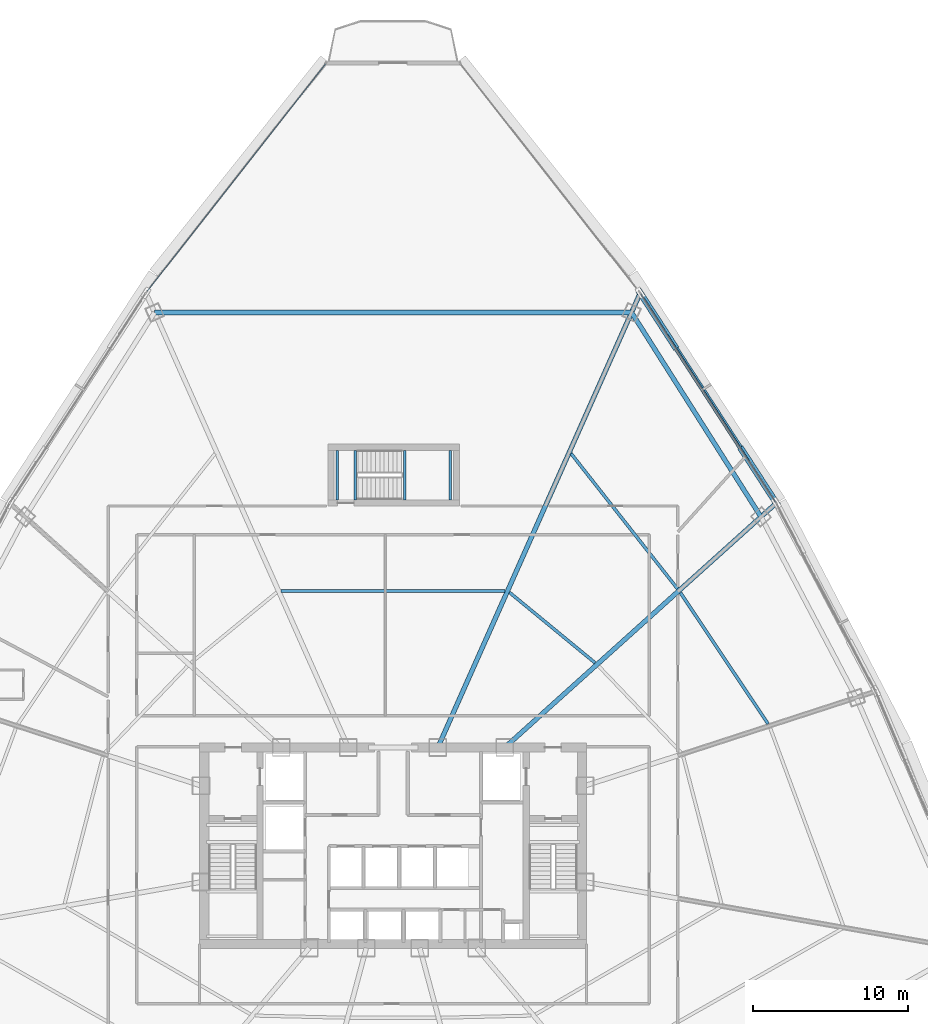
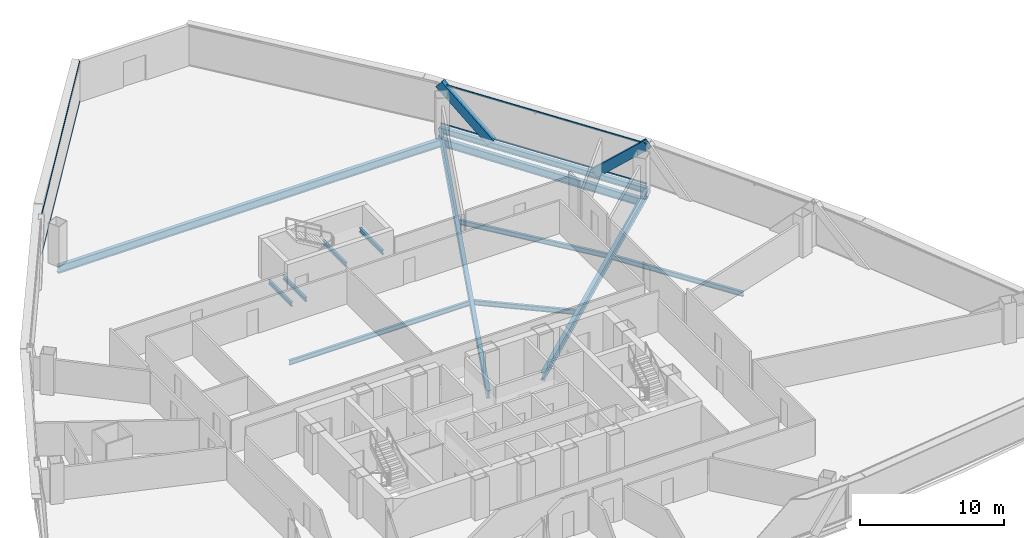
# One storey, part 21 of 41: 13 beams, 6 members, 2 elements without a shape of their own.
"""IFC4 building model written with IfcOpenShell, lengths in metres."""

from ifc_helpers import new_model, si_unit, direction, frame, origin, origin_2d, place, context, subcontext, project, spatial, hollow_rectangle, i_section, extrude, source, transform, mapped, material, layer, layer_set, material_profile, profile_set, type_object, element, aggregate, save


model = new_model("IFC4")

# Units and contexts
model_context = context("Model", 3, precision=1e-05, world=origin(), true_north=direction((0.0, 1.0)))
body_context = subcontext(model_context, "Body", "Model", "MODEL_VIEW")
ifc_project = project(units=[si_unit("LENGTHUNIT", "METRE"), si_unit("AREAUNIT", "SQUARE_METRE"), si_unit("VOLUMEUNIT", "CUBIC_METRE"), si_unit("PLANEANGLEUNIT", "RADIAN"), si_unit("MASSUNIT", "GRAM", prefix="KILO"), si_unit("THERMODYNAMICTEMPERATUREUNIT", "KELVIN"), si_unit("POWERUNIT", "WATT")], contexts=[model_context])

# Site, building, storey
site_placement = place(None, origin())
site = spatial("IfcSite", under=ifc_project, at=site_placement, CompositionType="ELEMENT")
building_placement = place(site_placement, origin())
building = spatial("IfcBuilding", under=site, at=building_placement, Name="Yunzhuo Pagoda Commons", CompositionType="ELEMENT")
storey_placement = place(building_placement, frame((0.0, 0.0, 155.590087890625)))
storey = spatial("IfcBuildingStorey", under=building, at=storey_placement, Name="L39", CompositionType="ELEMENT", Elevation=155.590087890625)

# Beams
ifc_material_1 = material(Name="Structural steel Q355B", Category="steel")
ifc_material_profile_1 = material_profile(ifc_material_1, i_section(OverallWidth=0.175048828125, OverallDepth=0.35009765625, WebThickness=0.007080078125, FlangeThickness=0.010986328125, at=origin_2d()), Name="Structural steel Q355B")
ifc_profile_set_1 = profile_set([ifc_material_profile_1], Name="Structural steel Q355B")
beam_type_1 = type_object("IfcBeamType", Name="B-JS2 Joist HN 350x175x7x11", PredefinedType="JOIST", material=ifc_profile_set_1)
shared_shape_1 = source(origin(), body_context, "Body", "SweptSolid", [
    extrude(i_section(OverallWidth=0.175048828125, OverallDepth=0.35009765625, WebThickness=0.007080078125, FlangeThickness=0.010986328125, at=origin_2d()), origin(), (0.0, 0.0, 1.0), 3.199951171875),
])
for number, where, z_axis, x_axis, name in (
    (1, (48.75, 56.199951171875, 1.46484375), (0.0, 1.0, 0.0), (-1.0, 0.0, 0.0), "L39 ST3 landing support beam 45A"),
    (2, (51.699951171875, 56.199951171875, 1.46484375), (0.0, 1.0, 0.0), (-1.0, 0.0, 0.0), "L39 ST3 landing support beam 45B"),
    (3, (44.39990234375, 56.199951171875, -0.375), (0.0, 1.0, 0.0), (-1.0, 0.0, 0.0), "L39 ST3 landing support beam 113A"),
    (4, (45.550048828125, 56.199951171875, -0.375), (0.0, 1.0, 0.0), (-1.0, 0.0, 0.0), "L39 ST3 landing support beam 113B"),
):
    element("IfcBeam", number, at=place(storey_placement, frame(where, z_axis=z_axis, x_axis=x_axis)), inside=storey, type_object=beam_type_1, Name=name, PredefinedType="JOIST", context=body_context, shape_type="MappedRepresentation", body=[
        mapped(shared_shape_1, transform((0.0, 0.0, 0.0), scale=1.0)),
    ])
ifc_material_profile_2 = material_profile(ifc_material_1, i_section(OverallWidth=0.199951171875, OverallDepth=0.39990234375, WebThickness=0.008056640625, FlangeThickness=0.012939453125, at=origin_2d()), Name="Structural steel Q355B")
ifc_profile_set_2 = profile_set([ifc_material_profile_2], Name="Structural steel Q355B")
beam_type_2 = type_object("IfcBeamType", Name="B-JS1 Joist HN 400x200x8x13", PredefinedType="JOIST", material=ifc_profile_set_2)
shared_shape_2 = source(origin(), body_context, "Body", "SweptSolid", [
    extrude(i_section(OverallWidth=0.199951171875, OverallDepth=0.39990234375, WebThickness=0.008056640625, FlangeThickness=0.012939453125, at=origin_2d()), origin(), (0.0, 0.0, 1.0), 10.186767578125),
])
beam_1_placement = place(storey_placement, frame((72.221923828125, 41.731201171875, -0.460205078125), z_axis=(-0.555872145938, 0.831267801235, 0.0), x_axis=(-0.831267801235, -0.555872145938, 0.0)))
element("IfcBeam", 5, at=beam_1_placement, inside=storey, type_object=beam_type_2, Name="L39 composite ring joist 2.6", PredefinedType="JOIST", context=body_context, shape_type="MappedRepresentation", body=[
    mapped(shared_shape_2, transform((0.0, 0.0, 0.0), scale=1.0)),
])
ifc_material_profile_3 = material_profile(ifc_material_1, i_section(OverallWidth=0.300048828125, OverallDepth=0.64990234375, WebThickness=0.012939453125, FlangeThickness=0.02197265625, at=origin_2d()), Name="Structural steel Q355B")
ifc_profile_set_3 = profile_set([ifc_material_profile_3], Name="Structural steel Q355B")
beam_type_3 = type_object("IfcBeamType", Name="B-RG2 Beam HN 650x300x13x22", PredefinedType="BEAM", material=ifc_profile_set_3)
shared_shape_3 = source(origin(), body_context, "Body", "SweptSolid", [
    extrude(i_section(OverallWidth=0.300048828125, OverallDepth=0.64990234375, WebThickness=0.012939453125, FlangeThickness=0.02197265625, at=origin_2d()), origin(), (0.0, 0.0, 1.0), 15.627685546875),
])
beam_2_placement = place(storey_placement, frame((71.76611328125, 55.09912109375, -0.585205078125), z_axis=(-0.534952471728, 0.844882153316, 0.0), x_axis=(-0.844882153316, -0.534952471728, 0.0)))
element("IfcBeam", 6, at=beam_2_placement, inside=storey, type_object=beam_type_3, Name="L39 column-ring beam 7", PredefinedType="BEAM", context=body_context, shape_type="MappedRepresentation", body=[
    mapped(shared_shape_3, transform((0.0, 0.0, 0.0), scale=1.0)),
])
shared_shape_4 = source(origin(), body_context, "Body", "SweptSolid", [
    extrude(i_section(OverallWidth=0.199951171875, OverallDepth=0.39990234375, WebThickness=0.008056640625, FlangeThickness=0.012939453125, at=origin_2d()), origin(), (0.0, 0.0, 1.0), 7.163818359375),
])
beam_3_placement = place(storey_placement, frame((61.05322265625, 45.664794921875, -0.460205078125), z_axis=(-0.772234119563, 0.635338071095, 0.0), x_axis=(-0.635338071095, -0.772234119563, 0.0)))
element("IfcBeam", 7, at=beam_3_placement, inside=storey, type_object=beam_type_2, Name="L39 composite ring joist 1.7", PredefinedType="JOIST", context=body_context, shape_type="MappedRepresentation", body=[
    mapped(shared_shape_4, transform((0.0, 0.0, 0.0), scale=1.0)),
])
shared_shape_5 = source(origin(), body_context, "Body", "SweptSolid", [
    extrude(i_section(OverallWidth=0.199951171875, OverallDepth=0.39990234375, WebThickness=0.008056640625, FlangeThickness=0.012939453125, at=origin_2d()), origin(), (0.0, 0.0, 1.0), 11.109375),
])
beam_4_placement = place(storey_placement, frame((66.372802734375, 50.456298828125, -0.460205078125), z_axis=(-0.618600596935, 0.785705607382, 0.0), x_axis=(-0.785705607382, -0.618600596935, 0.0)))
element("IfcBeam", 8, at=beam_4_placement, inside=storey, type_object=beam_type_2, Name="L39 composite ring joist 2.7", PredefinedType="JOIST", context=body_context, shape_type="MappedRepresentation", body=[
    mapped(shared_shape_5, transform((0.0, 0.0, 0.0), scale=1.0)),
])
shared_shape_6 = source(origin(), body_context, "Body", "SweptSolid", [
    extrude(i_section(OverallWidth=0.300048828125, OverallDepth=0.64990234375, WebThickness=0.012939453125, FlangeThickness=0.02197265625, at=origin_2d()), origin(), (0.0, 0.0, 1.0), 30.81201171875),
])
beam_5_placement = place(storey_placement, frame((63.406005859375, 68.302734375, -0.585205078125), z_axis=(-1.0, 0.0, 0.0), x_axis=(0.0, -1.0, 0.0)))
element("IfcBeam", 9, at=beam_5_placement, inside=storey, type_object=beam_type_3, Name="L39 column-ring beam 8", PredefinedType="BEAM", context=body_context, shape_type="MappedRepresentation", body=[
    mapped(shared_shape_6, transform((0.0, 0.0, 0.0), scale=1.0)),
])
shared_shape_7 = source(origin(), body_context, "Body", "SweptSolid", [
    extrude(i_section(OverallWidth=0.199951171875, OverallDepth=0.39990234375, WebThickness=0.008056640625, FlangeThickness=0.012939453125, at=origin_2d()), origin(), (0.0, 0.0, 1.0), 14.47900390625),
])
beam_6_placement = place(storey_placement, frame((55.239501953125, 50.317138671875, -0.460205078125), z_axis=(-1.0, 0.0, 0.0), x_axis=(0.0, -1.0, 0.0)))
element("IfcBeam", 10, at=beam_6_placement, inside=storey, type_object=beam_type_2, Name="L39 composite ring joist 1.8", PredefinedType="JOIST", context=body_context, shape_type="MappedRepresentation", body=[
    mapped(shared_shape_7, transform((0.0, 0.0, 0.0), scale=1.0)),
])
shared_shape_8 = source(origin(), body_context, "Body", "SweptSolid", [
    extrude(i_section(OverallWidth=0.300048828125, OverallDepth=0.64990234375, WebThickness=0.012939453125, FlangeThickness=0.02197265625, at=origin_2d()), origin(), (0.0, 0.0, 1.0), 23.44287109375),
])
beam_7_placement = place(storey_placement, frame((72.640380859375, 55.886474609375, -0.585205078125), z_axis=(-0.743139811502, -0.669136174901, 0.0), x_axis=(0.669136174901, -0.743139811502, 0.0)))
element("IfcBeam", 11, at=beam_7_placement, inside=storey, type_object=beam_type_3, Name="L39 radial floor girder F2C3", PredefinedType="BEAM", context=body_context, shape_type="MappedRepresentation", body=[
    mapped(shared_shape_8, transform((0.0, 0.0, 0.0), scale=1.0)),
])
shared_shape_9 = source(origin(), body_context, "Body", "SweptSolid", [
    extrude(i_section(OverallWidth=0.300048828125, OverallDepth=0.64990234375, WebThickness=0.012939453125, FlangeThickness=0.02197265625, at=origin_2d()), origin(), (0.0, 0.0, 1.0), 31.986328125),
])
beam_8_placement = place(storey_placement, frame((63.904052734375, 69.4208984375, -0.585205078125), z_axis=(-0.406736795216, -0.913545389905, 0.0), x_axis=(0.913545389905, -0.406736795216, 0.0)))
element("IfcBeam", 12, at=beam_8_placement, inside=storey, type_object=beam_type_3, Name="L39 radial floor girder F2C4", PredefinedType="BEAM", context=body_context, shape_type="MappedRepresentation", body=[
    mapped(shared_shape_9, transform((0.0, 0.0, 0.0), scale=1.0)),
])
ifc_material_profile_4 = material_profile(ifc_material_1, i_section(OverallWidth=0.300048828125, OverallDepth=0.488037109375, WebThickness=0.010986328125, FlangeThickness=0.01806640625, at=origin_2d()), Name="Structural steel Q355B")
ifc_profile_set_4 = profile_set([ifc_material_profile_4], Name="Structural steel Q355B")
beam_type_4 = type_object("IfcBeamType", Name="B-SP1 Beam HM 488x300x11x18", PredefinedType="BEAM", material=ifc_profile_set_4)
shared_shape_10 = source(origin(), body_context, "Body", "SweptSolid", [
    extrude(i_section(OverallWidth=0.300048828125, OverallDepth=0.488037109375, WebThickness=0.010986328125, FlangeThickness=0.01806640625, at=origin_2d()), origin(), (0.0, 0.0, 1.0), 16.16943359375),
])
beam_9_placement = place(storey_placement, frame((72.755615234375, 55.989990234375, -0.50390625), z_axis=(-0.543528588708, 0.839390655927, 0.0), x_axis=(-0.839390655927, -0.543528588708, 0.0)))
element("IfcBeam", 13, at=beam_9_placement, inside=storey, type_object=beam_type_4, Name="L39 facade edge spandrel beam F2.3", PredefinedType="BEAM", context=body_context, shape_type="MappedRepresentation", body=[
    mapped(shared_shape_10, transform((0.0, 0.0, 0.0), scale=1.0)),
])

# Members
ifc_material_profile_5 = material_profile(ifc_material_1, hollow_rectangle(XDim=0.39990234375, YDim=0.719970703125, WallThickness=0.02392578125, at=origin_2d()), Name="Structural steel Q355B")
ifc_profile_set_5 = profile_set([ifc_material_profile_5], Name="Structural steel Q355B")
member_type_1 = type_object("IfcMemberType", Name="M-DL2 Brace BOX 720x400x24", PredefinedType="BRACE", material=ifc_profile_set_5)
shared_shape_11 = source(origin(), body_context, "Body", "SweptSolid", [
    extrude(hollow_rectangle(XDim=0.39990234375, YDim=0.719970703125, WallThickness=0.02392578125, at=origin_2d()), origin(), (0.0, 0.0, 1.0), 5.466552734375),
])
for number, where, z_axis, x_axis, name in (
    (14, (70.558349609375, 59.383056640625, -0.260009765625), (0.401950076306, -0.620700240056, 0.673177055574), (0.839372417782, 0.543556753492, 0.0), "L39 facade diamond brace F2.3L"),
    (15, (66.164306640625, 66.16943359375, -0.260009765625), (-0.401950076306, 0.620700240056, 0.673177055574), (-0.839372417782, -0.543556753492, 0.0), "L39 facade diamond brace F2.3R"),
):
    element("IfcMember", number, at=place(storey_placement, frame(where, z_axis=z_axis, x_axis=x_axis)), inside=storey, type_object=member_type_1, Name=name, PredefinedType="BRACE", context=body_context, shape_type="MappedRepresentation", body=[
        mapped(shared_shape_11, transform((0.0, 0.0, 0.0), scale=1.0)),
    ])

# Curtain wall, members
ifc_material_2 = material(Name="Anodized aluminium 6063-T6", Category="aluminium")
ifc_layer = layer(ifc_material_2, 0.14990234375)
ifc_layer_set = layer_set([ifc_layer], Name="Anodized aluminium 6063-T6")
curtain_wall_type = type_object("IfcCurtainWallType", Name="CW-MID Mid-Zone Ribbon Curtain Wall", PredefinedType="NOTDEFINED", material=ifc_layer_set)
curtain_wall_1_placement = place(storey_placement, origin())
curtain_wall_1 = element("IfcCurtainWall", 16, at=curtain_wall_1_placement, inside=storey, type_object=curtain_wall_type, Name="L39 curtain wall CW-L39-F2B4", PredefinedType="NOTDEFINED")
ifc_material_profile_6 = material_profile(ifc_material_2, hollow_rectangle(XDim=0.054931640625, YDim=0.1298828125, WallThickness=0.00341796875, at=origin_2d()), Name="Anodized aluminium 6063-T6")
ifc_profile_set_6 = profile_set([ifc_material_profile_6], Name="Anodized aluminium 6063-T6")
member_type_2 = type_object("IfcMemberType", Name="CW-MID-T Transom RHS 130x55x3.5", PredefinedType="USERDEFINED", material=ifc_profile_set_6)
shared_shape_12 = source(origin(), body_context, "Body", "SweptSolid", [
    extrude(hollow_rectangle(XDim=0.054931640625, YDim=0.1298828125, WallThickness=0.00341796875, at=origin_2d()), origin(), (0.0, 0.0, 1.0), 16.049560546875),
])
member_1_placement = place(storey_placement, frame((72.722900390625, 56.040283203125, 0.02734375), z_axis=(-0.543526245349, 0.839392173312, 0.0), x_axis=(-0.839392173312, -0.543526245349, 0.0)))
member_1 = element("IfcMember", 17, at=member_1_placement, type_object=member_type_2, Name="CW transom 1.1", ObjectType="TRANSOM", PredefinedType="USERDEFINED", context=body_context, shape_type="MappedRepresentation", body=[
    mapped(shared_shape_12, transform((0.0, 0.0, 0.0), scale=1.0)),
])
member_2_placement = place(storey_placement, frame((72.722900390625, 56.040283203125, 3.392333984375), z_axis=(-0.543526245349, 0.839392173312, 0.0), x_axis=(-0.839392173312, -0.543526245349, 0.0)))
member_2 = element("IfcMember", 18, at=member_2_placement, type_object=member_type_2, Name="CW transom 1.2", ObjectType="TRANSOM", PredefinedType="USERDEFINED", context=body_context, shape_type="MappedRepresentation", body=[
    mapped(shared_shape_12, transform((0.0, 0.0, 0.0), scale=1.0)),
])
aggregate(curtain_wall_1, [member_1, member_2])

curtain_wall_2_placement = place(storey_placement, origin())
curtain_wall_2 = element("IfcCurtainWall", 19, at=curtain_wall_2_placement, inside=storey, type_object=curtain_wall_type, Name="L39 curtain wall CW-L39-F3B1", PredefinedType="NOTDEFINED")
shared_shape_13 = source(origin(), body_context, "Body", "SweptSolid", [
    extrude(hollow_rectangle(XDim=0.054931640625, YDim=0.1298828125, WallThickness=0.00341796875, at=origin_2d()), origin(), (0.0, 0.0, 1.0), 18.6806640625),
])
member_3_placement = place(storey_placement, frame((43.647216796875, 84.365966796875, 0.02734375), z_axis=(-0.61725574956, -0.786762568781, 0.0), x_axis=(0.786762568781, -0.61725574956, 0.0)))
member_3 = element("IfcMember", 20, at=member_3_placement, type_object=member_type_2, Name="CW transom 1.1", ObjectType="TRANSOM", PredefinedType="USERDEFINED", context=body_context, shape_type="MappedRepresentation", body=[
    mapped(shared_shape_13, transform((0.0, 0.0, 0.0), scale=1.0)),
])
member_4_placement = place(storey_placement, frame((43.647216796875, 84.365966796875, 3.392333984375), z_axis=(-0.61725574956, -0.786762568781, 0.0), x_axis=(0.786762568781, -0.61725574956, 0.0)))
member_4 = element("IfcMember", 21, at=member_4_placement, type_object=member_type_2, Name="CW transom 1.2", ObjectType="TRANSOM", PredefinedType="USERDEFINED", context=body_context, shape_type="MappedRepresentation", body=[
    mapped(shared_shape_13, transform((0.0, 0.0, 0.0), scale=1.0)),
])
aggregate(curtain_wall_2, [member_3, member_4])

save(model, "model.ifc")
